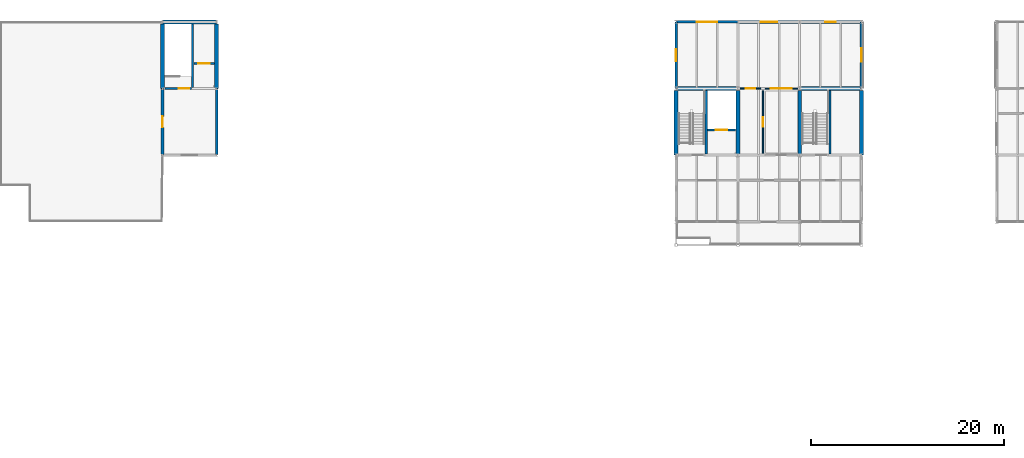
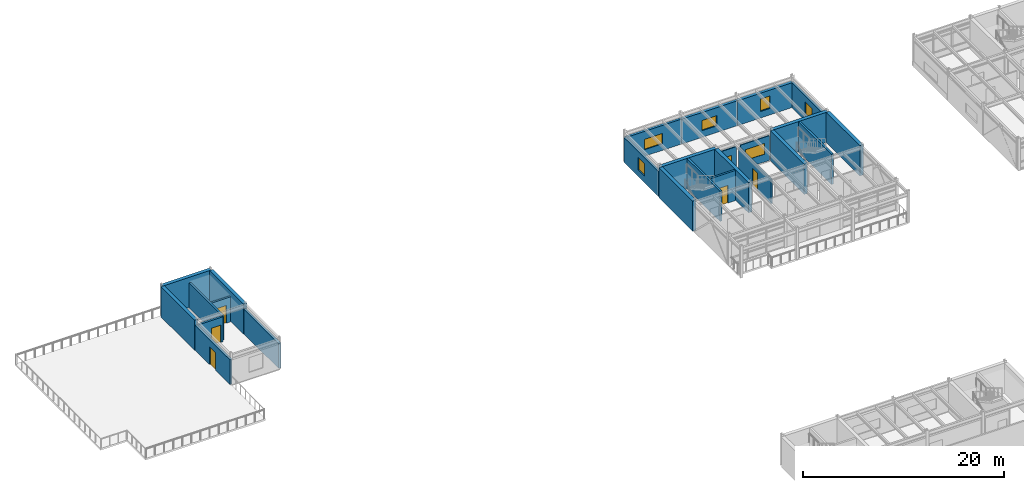
# One storey, part 40 of 49: 25 walls, 6 doors, 6 windows, 12 openings.
"""IFC4 building model written with IfcOpenShell, lengths in metres."""

from ifc_helpers import new_model, si_unit, direction, frame, frame_2d, origin, place, context, subcontext, project, spatial, rectangle, extrude, material, layer, layer_set, type_object, element, fill, save


model = new_model("IFC4")

# Units and contexts
model_context = context("Model", 3, precision=1e-05, world=origin(), true_north=direction((0.0, 1.0)))
body_context = subcontext(model_context, "Body", "Model", "MODEL_VIEW")
ifc_project = project(units=[si_unit("LENGTHUNIT", "METRE"), si_unit("AREAUNIT", "SQUARE_METRE"), si_unit("VOLUMEUNIT", "CUBIC_METRE"), si_unit("PLANEANGLEUNIT", "RADIAN"), si_unit("MASSUNIT", "GRAM", prefix="KILO")], contexts=[model_context])

# Site, building, storey
site_placement = place(None, origin())
site = spatial("IfcSite", under=ifc_project, at=site_placement, CompositionType="ELEMENT")
building_placement = place(site_placement, origin())
building = spatial("IfcBuilding", under=site, at=building_placement, Name="Trelmorton Wharf Fire Station", CompositionType="ELEMENT")
storey_placement = place(building_placement, frame((0.0, 0.0, 9.60009765625)))
storey = spatial("IfcBuildingStorey", under=building, at=storey_placement, Name="L02", CompositionType="ELEMENT", Elevation=9.60009765625)

# Wall, opening, door
ifc_material_1 = material(Name="Precast concrete 45 MPa", Category="concrete")
ifc_layer_1 = layer(ifc_material_1, 0.27001953125)
ifc_layer_set_1 = layer_set([ifc_layer_1], Name="Precast concrete 45 MPa")
wall_type_1 = type_object("IfcWallType", Name="EW_PREC_270", PredefinedType="SOLIDWALL", material=ifc_layer_set_1)
wall_1_placement = place(storey_placement, frame((17.60009765625, 67.205078125, 0.0), z_axis=(0.0, 0.0, 1.0), x_axis=(0.0, 1.0, 0.0)))
wall_1 = element("IfcWall", 1, at=wall_1_placement, inside=storey, type_object=wall_type_1, Name="EW-V6-L02-0152", PredefinedType="SOLIDWALL", context=body_context, shape_type="SweptSolid", body=[
    extrude(rectangle(XDim=6.889892578125, YDim=0.27001953125, at=frame_2d((3.44482421875, 0.0))), origin(), (0.0, 0.0, 1.0), 3.02001953125),
])
opening_1_placement = place(wall_1_placement, frame((2.875, 0.0, 0.0)))
opening_1 = element("IfcOpeningElement", 2, at=opening_1_placement, cuts=wall_1, Name="Opening TD-024", PredefinedType="OPENING", context=body_context, shape_type="SweptSolid", body=[
    extrude(rectangle(XDim=1.139892578125, YDim=2.139892578125, at=frame_2d((0.56982421875, 1.06982421875))), frame((0.0, 0.14501953125, 0.0), z_axis=(0.0, -1.0, 0.0), x_axis=(1.0, 0.0, 0.0)), (0.0, 0.0, 1.0), 0.2900390625),
])
ifc_material_2 = material(Name="Anodised aluminium AW-6063", Category="aluminium")
door_type_1 = type_object("IfcDoorType", Name="DR_TER_SGL_114", OperationType="NOTDEFINED", PredefinedType="DOOR", material=ifc_material_2)
door_1_placement = place(opening_1_placement, origin())
door_1 = element("IfcDoor", 3, at=door_1_placement, inside=storey, type_object=door_type_1, Name="Terrace Door TD-024", OperationType="SINGLE_SWING_RIGHT", OverallHeight=2.139892578125, OverallWidth=1.139892578125, PredefinedType="DOOR", context=body_context, shape_type="SweptSolid", body=[
    extrude(rectangle(XDim=1.139892578125, YDim=2.139892578125, at=frame_2d((0.56982421875, 1.06982421875))), frame((0.0, 0.02490234375, 0.0), z_axis=(0.0, -1.0, 0.0), x_axis=(1.0, 0.0, 0.0)), (0.0, 0.0, 1.0), 0.050048828125),
])
fill(opening_1, door_1)

# Wall
wall_2_placement = place(storey_placement, frame((23.199951171875, 74.094970703125, 0.0), z_axis=(0.0, 0.0, 1.0), x_axis=(0.0, -1.0, 0.0)))
element("IfcWall", 4, at=wall_2_placement, inside=storey, type_object=wall_type_1, Name="EW-V6-L02-0153", PredefinedType="SOLIDWALL", context=body_context, shape_type="SweptSolid", body=[
    extrude(rectangle(XDim=6.889892578125, YDim=0.27001953125, at=frame_2d((3.44482421875, 0.0))), origin(), (0.0, 0.0, 1.0), 3.02001953125),
])

# Wall, opening, window
wall_3_placement = place(storey_placement, frame((70.804931640625, 81.0, 0.0), z_axis=(0.0, 0.0, 1.0), x_axis=(1.0, 0.0, 0.0)))
wall_3 = element("IfcWall", 5, at=wall_3_placement, inside=storey, type_object=wall_type_1, Name="EW-V2-L02-0170", PredefinedType="SOLIDWALL", context=body_context, shape_type="SweptSolid", body=[
    extrude(rectangle(XDim=6.39013671875, YDim=0.27001953125, at=frame_2d((3.195068359375, 0.0))), origin(), (0.0, 0.0, 1.0), 3.02001953125),
])
opening_2_placement = place(wall_3_placement, frame((2.14501953125, 0.0, 0.800048828125)))
opening_2 = element("IfcOpeningElement", 6, at=opening_2_placement, cuts=wall_3, Name="Opening W31", PredefinedType="OPENING", context=body_context, shape_type="SweptSolid", body=[
    extrude(rectangle(XDim=2.10009765625, YDim=1.25, at=frame_2d((1.050048828125, 0.625))), frame((0.0, 0.14501953125, 0.0), z_axis=(0.0, -1.0, 0.0), x_axis=(1.0, 0.0, 0.0)), (0.0, 0.0, 1.0), 0.2900390625),
])
ifc_material_3 = material(Name="Tempered low-E double glazing", Category="glass")
window_type_1 = type_object("IfcWindowType", Name="WIN_W31", PartitioningType="DOUBLE_PANEL_VERTICAL", PredefinedType="WINDOW", material=ifc_material_3)
window_1_placement = place(opening_2_placement, origin())
window_1 = element("IfcWindow", 7, at=window_1_placement, inside=storey, type_object=window_type_1, Name="WN-V2-L02-0093", OverallHeight=1.25, OverallWidth=2.10009765625, PartitioningType="DOUBLE_PANEL_VERTICAL", PredefinedType="WINDOW", context=body_context, shape_type="SweptSolid", body=[
    extrude(rectangle(XDim=2.10009765625, YDim=1.25, at=frame_2d((1.050048828125, 0.625))), frame((0.0, 0.030029296875, 0.0), z_axis=(0.0, -1.0, 0.0), x_axis=(1.0, 0.0, 0.0)), (0.0, 0.0, 1.0), 0.06005859375),
])
fill(opening_2, window_1)

wall_4_placement = place(storey_placement, frame((70.800048828125, 74.10498046875, 0.0), z_axis=(0.0, 0.0, 1.0), x_axis=(0.0, 1.0, 0.0)))
wall_4 = element("IfcWall", 8, at=wall_4_placement, inside=storey, type_object=wall_type_1, Name="EW-V2-L02-0176", PredefinedType="SOLIDWALL", context=body_context, shape_type="SweptSolid", body=[
    extrude(rectangle(XDim=6.89013671875, YDim=0.27001953125, at=frame_2d((3.445068359375, 0.0))), origin(), (0.0, 0.0, 1.0), 3.02001953125),
])
opening_3_placement = place(wall_4_placement, frame((2.820068359375, 0.0, 0.800048828125)))
opening_3 = element("IfcOpeningElement", 9, at=opening_3_placement, cuts=wall_4, Name="Opening W34", PredefinedType="OPENING", context=body_context, shape_type="SweptSolid", body=[
    extrude(rectangle(XDim=1.25, YDim=1.5, at=frame_2d((0.625, 0.75))), frame((0.0, 0.14501953125, 0.0), z_axis=(0.0, -1.0, 0.0), x_axis=(1.0, 0.0, 0.0)), (0.0, 0.0, 1.0), 0.2900390625),
])
window_type_2 = type_object("IfcWindowType", Name="WIN_W34", PartitioningType="SINGLE_PANEL", PredefinedType="WINDOW", material=ifc_material_3)
window_2_placement = place(opening_3_placement, origin())
window_2 = element("IfcWindow", 10, at=window_2_placement, inside=storey, type_object=window_type_2, Name="WN-V2-L02-0096", OverallHeight=1.5, OverallWidth=1.25, PartitioningType="SINGLE_PANEL", PredefinedType="WINDOW", context=body_context, shape_type="SweptSolid", body=[
    extrude(rectangle(XDim=1.25, YDim=1.5, at=frame_2d((0.625, 0.75))), frame((0.0, 0.030029296875, 0.0), z_axis=(0.0, -1.0, 0.0), x_axis=(1.0, 0.0, 0.0)), (0.0, 0.0, 1.0), 0.06005859375),
])
fill(opening_3, window_2)

ifc_layer_2 = layer(ifc_material_1, 0.2900390625)
ifc_layer_set_2 = layer_set([ifc_layer_2], Name="Precast concrete 45 MPa")
wall_type_2 = type_object("IfcWallType", Name="EW_TERR_290", PredefinedType="SOLIDWALL", material=ifc_layer_set_2)
wall_5_placement = place(storey_placement, frame((90.0, 80.9951171875, 0.0), z_axis=(0.0, 0.0, 1.0), x_axis=(0.0, -1.0, 0.0)))
wall_5 = element("IfcWall", 11, at=wall_5_placement, inside=storey, type_object=wall_type_2, Name="EW-V2-L02-0177", PredefinedType="SOLIDWALL", context=body_context, shape_type="SweptSolid", body=[
    extrude(rectangle(XDim=6.89013671875, YDim=0.2900390625, at=frame_2d((3.445068359375, 0.0))), origin(), (0.0, 0.0, 1.0), 3.02001953125),
])
opening_4_placement = place(wall_5_placement, frame((2.7451171875, 0.0, 0.800048828125)))
opening_4 = element("IfcOpeningElement", 12, at=opening_4_placement, cuts=wall_5, Name="Opening W35", PredefinedType="OPENING", context=body_context, shape_type="SweptSolid", body=[
    extrude(rectangle(XDim=1.39990234375, YDim=1.5, at=frame_2d((0.699951171875, 0.75))), frame((0.0, 0.155029296875, 0.0), z_axis=(0.0, -1.0, 0.0), x_axis=(1.0, 0.0, 0.0)), (0.0, 0.0, 1.0), 0.31005859375),
])
window_type_3 = type_object("IfcWindowType", Name="WIN_W35", PartitioningType="SINGLE_PANEL", PredefinedType="WINDOW", material=ifc_material_3)
window_3_placement = place(opening_4_placement, origin())
window_3 = element("IfcWindow", 13, at=window_3_placement, inside=storey, type_object=window_type_3, Name="WN-V2-L02-0097", OverallHeight=1.5, OverallWidth=1.39990234375, PartitioningType="SINGLE_PANEL", PredefinedType="WINDOW", context=body_context, shape_type="SweptSolid", body=[
    extrude(rectangle(XDim=1.39990234375, YDim=1.5, at=frame_2d((0.699951171875, 0.75))), frame((0.0, 0.030029296875, 0.0), z_axis=(0.0, -1.0, 0.0), x_axis=(1.0, 0.0, 0.0)), (0.0, 0.0, 1.0), 0.06005859375),
])
fill(opening_4, window_3)

ifc_layer_3 = layer(ifc_material_1, 0.31005859375)
ifc_layer_set_3 = layer_set([ifc_layer_3], Name="Precast concrete 45 MPa")
wall_type_3 = type_object("IfcWallType", Name="EW_TERR_310", PredefinedType="SOLIDWALL", material=ifc_layer_set_3)
wall_6_placement = place(storey_placement, frame((77.205078125, 81.0, 0.0), z_axis=(0.0, 0.0, 1.0), x_axis=(1.0, 0.0, 0.0)))
wall_6 = element("IfcWall", 14, at=wall_6_placement, inside=storey, type_object=wall_type_3, Name="EW-V2-L02-0172", PredefinedType="SOLIDWALL", context=body_context, shape_type="SweptSolid", body=[
    extrude(rectangle(XDim=6.389892578125, YDim=0.31005859375, at=frame_2d((3.19482421875, 0.0))), origin(), (0.0, 0.0, 1.0), 3.02001953125),
])
opening_5_placement = place(wall_6_placement, frame((2.344970703125, 0.0, 0.800048828125)))
opening_5 = element("IfcOpeningElement", 15, at=opening_5_placement, cuts=wall_6, Name="Opening W32", PredefinedType="OPENING", context=body_context, shape_type="SweptSolid", body=[
    extrude(rectangle(XDim=1.699951171875, YDim=1.25, at=frame_2d((0.85009765625, 0.625))), frame((0.0, 0.1650390625, 0.0), z_axis=(0.0, -1.0, 0.0), x_axis=(1.0, 0.0, 0.0)), (0.0, 0.0, 1.0), 0.330078125),
])
window_type_4 = type_object("IfcWindowType", Name="WIN_W32", PartitioningType="DOUBLE_PANEL_VERTICAL", PredefinedType="WINDOW", material=ifc_material_3)
window_4_placement = place(opening_5_placement, origin())
window_4 = element("IfcWindow", 16, at=window_4_placement, inside=storey, type_object=window_type_4, Name="WN-V2-L02-0094", OverallHeight=1.25, OverallWidth=1.699951171875, PartitioningType="DOUBLE_PANEL_VERTICAL", PredefinedType="WINDOW", context=body_context, shape_type="SweptSolid", body=[
    extrude(rectangle(XDim=1.699951171875, YDim=1.25, at=frame_2d((0.85009765625, 0.625))), frame((0.0, 0.030029296875, 0.0), z_axis=(0.0, -1.0, 0.0), x_axis=(1.0, 0.0, 0.0)), (0.0, 0.0, 1.0), 0.06005859375),
])
fill(opening_5, window_4)

ifc_layer_4 = layer(ifc_material_1, 0.330078125)
ifc_layer_set_4 = layer_set([ifc_layer_4], Name="Precast concrete 45 MPa")
wall_type_4 = type_object("IfcWallType", Name="EW_TERR_330", PredefinedType="SOLIDWALL", material=ifc_layer_set_4)
wall_7_placement = place(storey_placement, frame((83.60498046875, 81.0, 0.0), z_axis=(0.0, 0.0, 1.0), x_axis=(1.0, 0.0, 0.0)))
wall_7 = element("IfcWall", 17, at=wall_7_placement, inside=storey, type_object=wall_type_4, Name="EW-V2-L02-0173", PredefinedType="SOLIDWALL", context=body_context, shape_type="SweptSolid", body=[
    extrude(rectangle(XDim=6.39013671875, YDim=0.330078125, at=frame_2d((3.195068359375, 0.0))), origin(), (0.0, 0.0, 1.0), 3.02001953125),
])
opening_6_placement = place(wall_7_placement, frame((2.64501953125, 0.0, 0.800048828125)))
opening_6 = element("IfcOpeningElement", 18, at=opening_6_placement, cuts=wall_7, Name="Opening W33", PredefinedType="OPENING", context=body_context, shape_type="SweptSolid", body=[
    extrude(rectangle(XDim=1.10009765625, YDim=1.5, at=frame_2d((0.550048828125, 0.75))), frame((0.0, 0.175048828125, 0.0), z_axis=(0.0, -1.0, 0.0), x_axis=(1.0, 0.0, 0.0)), (0.0, 0.0, 1.0), 0.35009765625),
])
window_type_5 = type_object("IfcWindowType", Name="WIN_W33", PartitioningType="SINGLE_PANEL", PredefinedType="WINDOW", material=ifc_material_3)
window_5_placement = place(opening_6_placement, origin())
window_5 = element("IfcWindow", 19, at=window_5_placement, inside=storey, type_object=window_type_5, Name="WN-V2-L02-0095", OverallHeight=1.5, OverallWidth=1.10009765625, PartitioningType="SINGLE_PANEL", PredefinedType="WINDOW", context=body_context, shape_type="SweptSolid", body=[
    extrude(rectangle(XDim=1.10009765625, YDim=1.5, at=frame_2d((0.550048828125, 0.75))), frame((0.0, 0.030029296875, 0.0), z_axis=(0.0, -1.0, 0.0), x_axis=(1.0, 0.0, 0.0)), (0.0, 0.0, 1.0), 0.06005859375),
])
fill(opening_6, window_5)

# Wall
ifc_material_4 = material(Name="Concrete 40 MPa", Category="concrete")
ifc_layer_5 = layer(ifc_material_4, 0.219970703125)
ifc_layer_set_5 = layer_set([ifc_layer_5], Name="Concrete 40 MPa")
wall_type_5 = type_object("IfcWallType", Name="IW_CORE_220", PredefinedType="SOLIDWALL", material=ifc_layer_set_5)
wall_8_placement = place(storey_placement, frame((20.719970703125, 74.219970703125, 0.0), z_axis=(0.0, 0.0, 1.0), x_axis=(0.0, 1.0, 0.0)))
element("IfcWall", 20, at=wall_8_placement, inside=storey, type_object=wall_type_5, Name="IW-C5-DIV-L02", PredefinedType="SOLIDWALL", context=body_context, shape_type="SweptSolid", body=[
    extrude(rectangle(XDim=6.554931640625, YDim=0.219970703125, at=frame_2d((3.27734375, 0.0))), origin(), (0.0, 0.0, 1.0), 3.02001953125),
])

# Wall, opening, door
wall_9_placement = place(storey_placement, frame((17.860107421875, 74.10009765625, 0.0), z_axis=(0.0, 0.0, 1.0), x_axis=(1.0, 0.0, 0.0)))
wall_9 = element("IfcWall", 21, at=wall_9_placement, inside=storey, type_object=wall_type_5, Name="IW-C5-SF-L02", PredefinedType="SOLIDWALL", context=body_context, shape_type="SweptSolid", body=[
    extrude(rectangle(XDim=2.739990234375, YDim=0.219970703125, at=frame_2d((1.3701171875, 0.0))), origin(), (0.0, 0.0, 1.0), 3.02001953125),
])
opening_7_placement = place(wall_9_placement, frame((1.43994140625, 0.0, 0.0)))
opening_7 = element("IfcOpeningElement", 22, at=opening_7_placement, cuts=wall_9, Name="Opening FD-025", PredefinedType="OPENING", context=body_context, shape_type="SweptSolid", body=[
    extrude(rectangle(XDim=1.06005859375, YDim=2.10009765625, at=frame_2d((0.530029296875, 1.050048828125))), frame((0.0, 0.1201171875, 0.0), z_axis=(0.0, -1.0, 0.0), x_axis=(1.0, 0.0, 0.0)), (0.0, 0.0, 1.0), 0.239990234375),
])
ifc_material_5 = material(Name="Stainless steel 316 marine grade", Category="steel")
door_type_2 = type_object("IfcDoorType", Name="DR_FIRE_106", OperationType="NOTDEFINED", PredefinedType="DOOR", material=ifc_material_5)
door_2_placement = place(opening_7_placement, origin())
door_2 = element("IfcDoor", 23, at=door_2_placement, inside=storey, type_object=door_type_2, Name="Stair Fire Door FD-025", OperationType="SINGLE_SWING_RIGHT", OverallHeight=2.10009765625, OverallWidth=1.06005859375, PredefinedType="DOOR", context=body_context, shape_type="SweptSolid", body=[
    extrude(rectangle(XDim=1.06005859375, YDim=2.10009765625, at=frame_2d((0.530029296875, 1.050048828125))), frame((0.0, 0.02490234375, 0.0), z_axis=(0.0, -1.0, 0.0), x_axis=(1.0, 0.0, 0.0)), (0.0, 0.0, 1.0), 0.050048828125),
])
fill(opening_7, door_2)

wall_10_placement = place(storey_placement, frame((20.840087890625, 76.699951171875, 0.0), z_axis=(0.0, 0.0, 1.0), x_axis=(1.0, 0.0, 0.0)))
wall_10 = element("IfcWall", 24, at=wall_10_placement, inside=storey, type_object=wall_type_5, Name="IW-C5-LSH-L02", PredefinedType="SOLIDWALL", context=body_context, shape_type="SweptSolid", body=[
    extrude(rectangle(XDim=2.135009765625, YDim=0.219970703125, at=frame_2d((1.0673828125, 0.0))), origin(), (0.0, 0.0, 1.0), 3.02001953125),
])
opening_8_placement = place(wall_10_placement, frame((0.467529296875, 0.0, 0.0)))
opening_8 = element("IfcOpeningElement", 25, at=opening_8_placement, cuts=wall_10, Name="Opening LD-025", PredefinedType="OPENING", context=body_context, shape_type="SweptSolid", body=[
    extrude(rectangle(XDim=1.199951171875, YDim=2.14990234375, at=frame_2d((0.60009765625, 1.074951171875))), frame((0.0, 0.1201171875, 0.0), z_axis=(0.0, -1.0, 0.0), x_axis=(1.0, 0.0, 0.0)), (0.0, 0.0, 1.0), 0.239990234375),
])
door_type_3 = type_object("IfcDoorType", Name="DR_LIFT_120", OperationType="DOUBLE_DOOR_SLIDING", PredefinedType="DOOR", material=ifc_material_5)
door_3_placement = place(opening_8_placement, origin())
door_3 = element("IfcDoor", 26, at=door_3_placement, inside=storey, type_object=door_type_3, Name="Lift Landing Door LD-025", OperationType="DOUBLE_DOOR_SLIDING", OverallHeight=2.14990234375, OverallWidth=1.199951171875, PredefinedType="DOOR", context=body_context, shape_type="SweptSolid", body=[
    extrude(rectangle(XDim=1.199951171875, YDim=2.14990234375, at=frame_2d((0.60009765625, 1.074951171875))), frame((0.0, 0.02490234375, 0.0), z_axis=(0.0, -1.0, 0.0), x_axis=(1.0, 0.0, 0.0)), (0.0, 0.0, 1.0), 0.050048828125),
])
fill(opening_8, door_3)

# Wall
wall_11_placement = place(storey_placement, frame((73.919921875, 67.320068359375, 0.0), z_axis=(0.0, 0.0, 1.0), x_axis=(0.0, 1.0, 0.0)))
element("IfcWall", 27, at=wall_11_placement, inside=storey, type_object=wall_type_5, Name="IW-C6-DIV-L02", PredefinedType="SOLIDWALL", context=body_context, shape_type="SweptSolid", body=[
    extrude(rectangle(XDim=6.554931640625, YDim=0.219970703125, at=frame_2d((3.27734375, 0.0))), origin(), (0.0, 0.0, 1.0), 3.659912109375),
])

# Wall, opening, door
wall_12_placement = place(storey_placement, frame((74.0400390625, 69.800048828125, 0.0), z_axis=(0.0, 0.0, 1.0), x_axis=(1.0, 0.0, 0.0)))
wall_12 = element("IfcWall", 28, at=wall_12_placement, inside=storey, type_object=wall_type_5, Name="IW-C6-LSH-L02", PredefinedType="SOLIDWALL", context=body_context, shape_type="SweptSolid", body=[
    extrude(rectangle(XDim=2.93505859375, YDim=0.219970703125, at=frame_2d((1.467529296875, 0.0))), origin(), (0.0, 0.0, 1.0), 3.659912109375),
])
opening_9_placement = place(wall_12_placement, frame((0.867431640625, 0.0, 0.0)))
opening_9 = element("IfcOpeningElement", 29, at=opening_9_placement, cuts=wall_12, Name="Opening LD-028", PredefinedType="OPENING", context=body_context, shape_type="SweptSolid", body=[
    extrude(rectangle(XDim=1.199951171875, YDim=2.14990234375, at=frame_2d((0.60009765625, 1.074951171875))), frame((0.0, 0.1201171875, 0.0), z_axis=(0.0, -1.0, 0.0), x_axis=(1.0, 0.0, 0.0)), (0.0, 0.0, 1.0), 0.239990234375),
])
door_4_placement = place(opening_9_placement, origin())
door_4 = element("IfcDoor", 30, at=door_4_placement, inside=storey, type_object=door_type_3, Name="Lift Landing Door LD-028", OperationType="DOUBLE_DOOR_SLIDING", OverallHeight=2.14990234375, OverallWidth=1.199951171875, PredefinedType="DOOR", context=body_context, shape_type="SweptSolid", body=[
    extrude(rectangle(XDim=1.199951171875, YDim=2.14990234375, at=frame_2d((0.60009765625, 1.074951171875))), frame((0.0, 0.02490234375, 0.0), z_axis=(0.0, -1.0, 0.0), x_axis=(1.0, 0.0, 0.0)), (0.0, 0.0, 1.0), 0.050048828125),
])
fill(opening_9, door_4)

# Wall
wall_13_placement = place(storey_placement, frame((86.719970703125, 67.320068359375, 0.0), z_axis=(0.0, 0.0, 1.0), x_axis=(0.0, 1.0, 0.0)))
element("IfcWall", 31, at=wall_13_placement, inside=storey, type_object=wall_type_5, Name="IW-C6B-DIV-L02", PredefinedType="SOLIDWALL", context=body_context, shape_type="SweptSolid", body=[
    extrude(rectangle(XDim=6.554931640625, YDim=0.219970703125, at=frame_2d((3.27734375, 0.0))), origin(), (0.0, 0.0, 1.0), 3.659912109375),
])

# Wall, opening, window
ifc_material_6 = material(Name="Gypsum plasterboard partition")
ifc_layer_6 = layer(ifc_material_6, 0.110107421875)
ifc_layer_set_6 = layer_set([ifc_layer_6], Name="Gypsum plasterboard partition")
wall_type_6 = type_object("IfcWallType", Name="IW_PART_110", PredefinedType="PARTITIONING", material=ifc_layer_set_6)
wall_14_placement = place(storey_placement, frame((80.02001953125, 74.10009765625, 0.0), z_axis=(0.0, 0.0, 1.0), x_axis=(1.0, 0.0, 0.0)))
wall_14 = element("IfcWall", 32, at=wall_14_placement, inside=storey, type_object=wall_type_6, Name="IW-L02-0153", PredefinedType="PARTITIONING", context=body_context, shape_type="SweptSolid", body=[
    extrude(rectangle(XDim=3.35986328125, YDim=0.110107421875, at=frame_2d((1.679931640625, 0.0))), origin(), (0.0, 0.0, 1.0), 3.0),
])
opening_10_placement = place(wall_14_placement, frame((0.580078125, 0.0, 0.949951171875)))
opening_10 = element("IfcOpeningElement", 33, at=opening_10_placement, cuts=wall_14, Name="Opening IW-OB1", PredefinedType="OPENING", context=body_context, shape_type="SweptSolid", body=[
    extrude(rectangle(XDim=2.199951171875, YDim=1.300048828125, at=frame_2d((1.10009765625, 0.64990234375))), frame((0.0, 0.06494140625, 0.0), z_axis=(0.0, -1.0, 0.0), x_axis=(1.0, 0.0, 0.0)), (0.0, 0.0, 1.0), 0.130126953125),
])
window_type_6 = type_object("IfcWindowType", Name="WIN_INT_220", PartitioningType="DOUBLE_PANEL_VERTICAL", PredefinedType="WINDOW", material=ifc_material_3)
window_6_placement = place(opening_10_placement, origin())
window_6 = element("IfcWindow", 34, at=window_6_placement, inside=storey, type_object=window_type_6, Name="WN-INT-0153", OverallHeight=1.300048828125, OverallWidth=2.199951171875, PartitioningType="DOUBLE_PANEL_VERTICAL", PredefinedType="WINDOW", context=body_context, shape_type="SweptSolid", body=[
    extrude(rectangle(XDim=2.199951171875, YDim=1.300048828125, at=frame_2d((1.10009765625, 0.64990234375))), frame((0.0, 0.030029296875, 0.0), z_axis=(0.0, -1.0, 0.0), x_axis=(1.0, 0.0, 0.0)), (0.0, 0.0, 1.0), 0.06005859375),
])
fill(opening_10, window_6)

# Wall, opening, door
ifc_layer_7 = layer(ifc_material_6, 0.1298828125)
ifc_layer_set_7 = layer_set([ifc_layer_7], Name="Gypsum plasterboard partition")
wall_type_7 = type_object("IfcWallType", Name="IW_PART_130", PredefinedType="PARTITIONING", material=ifc_layer_set_7)
wall_15_placement = place(storey_placement, frame((79.800048828125, 67.419921875, 0.0), z_axis=(0.0, 0.0, 1.0), x_axis=(0.0, 1.0, 0.0)))
wall_15 = element("IfcWall", 35, at=wall_15_placement, inside=storey, type_object=wall_type_7, Name="IW-L02-0151", PredefinedType="PARTITIONING", context=body_context, shape_type="SweptSolid", body=[
    extrude(rectangle(XDim=6.4599609375, YDim=0.1298828125, at=frame_2d((3.22998046875, 0.0))), origin(), (0.0, 0.0, 1.0), 3.0),
])
opening_11_placement = place(wall_15_placement, frame((2.7451171875, 0.0, 0.0)))
opening_11 = element("IfcOpeningElement", 36, at=opening_11_placement, cuts=wall_15, Name="Opening D-104", PredefinedType="OPENING", context=body_context, shape_type="SweptSolid", body=[
    extrude(rectangle(XDim=0.969970703125, YDim=2.10009765625, at=frame_2d((0.48486328125, 1.050048828125))), frame((0.0, 0.074951171875, 0.0), z_axis=(0.0, -1.0, 0.0), x_axis=(1.0, 0.0, 0.0)), (0.0, 0.0, 1.0), 0.14990234375),
])
ifc_material_7 = material(Name="Acoustic timber panelling", Category="wood")
door_type_4 = type_object("IfcDoorType", Name="DR_INT_097", OperationType="NOTDEFINED", PredefinedType="DOOR", material=ifc_material_7)
door_5_placement = place(opening_11_placement, origin())
door_5 = element("IfcDoor", 37, at=door_5_placement, inside=storey, type_object=door_type_4, Name="Interior Door D-104", OperationType="SINGLE_SWING_RIGHT", OverallHeight=2.10009765625, OverallWidth=0.969970703125, PredefinedType="DOOR", context=body_context, shape_type="SweptSolid", body=[
    extrude(rectangle(XDim=0.969970703125, YDim=2.10009765625, at=frame_2d((0.48486328125, 1.050048828125))), frame((0.0, 0.02490234375, 0.0), z_axis=(0.0, -1.0, 0.0), x_axis=(1.0, 0.0, 0.0)), (0.0, 0.0, 1.0), 0.050048828125),
])
fill(opening_11, door_5)

ifc_layer_8 = layer(ifc_material_6, 0.1201171875)
ifc_layer_set_8 = layer_set([ifc_layer_8], Name="Gypsum plasterboard partition")
wall_type_8 = type_object("IfcWallType", Name="IW_WET_120", PredefinedType="PARTITIONING", material=ifc_layer_set_8)
wall_16_placement = place(storey_placement, frame((77.419921875, 74.10009765625, 0.0), z_axis=(0.0, 0.0, 1.0), x_axis=(1.0, 0.0, 0.0)))
wall_16 = element("IfcWall", 38, at=wall_16_placement, inside=storey, type_object=wall_type_8, Name="IW-L02-0152", PredefinedType="PARTITIONING", context=body_context, shape_type="SweptSolid", body=[
    extrude(rectangle(XDim=2.16015625, YDim=0.1201171875, at=frame_2d((1.080078125, 0.0))), origin(), (0.0, 0.0, 1.0), 3.0),
])
opening_12_placement = place(wall_16_placement, frame((0.580078125, 0.0, 0.0)))
opening_12 = element("IfcOpeningElement", 39, at=opening_12_placement, cuts=wall_16, Name="Opening D-105", PredefinedType="OPENING", context=body_context, shape_type="SweptSolid", body=[
    extrude(rectangle(XDim=1.0, YDim=2.1201171875, at=frame_2d((0.5, 1.06005859375))), frame((0.0, 0.070068359375, 0.0), z_axis=(0.0, -1.0, 0.0), x_axis=(1.0, 0.0, 0.0)), (0.0, 0.0, 1.0), 0.14013671875),
])
door_type_5 = type_object("IfcDoorType", Name="DR_INT_100", OperationType="NOTDEFINED", PredefinedType="DOOR", material=ifc_material_7)
door_6_placement = place(opening_12_placement, origin())
door_6 = element("IfcDoor", 40, at=door_6_placement, inside=storey, type_object=door_type_5, Name="Interior Door D-105", OperationType="SINGLE_SWING_LEFT", OverallHeight=2.1201171875, OverallWidth=1.0, PredefinedType="DOOR", context=body_context, shape_type="SweptSolid", body=[
    extrude(rectangle(XDim=1.0, YDim=2.1201171875, at=frame_2d((0.5, 1.06005859375))), frame((0.0, 0.02490234375, 0.0), z_axis=(0.0, -1.0, 0.0), x_axis=(1.0, 0.0, 0.0)), (0.0, 0.0, 1.0), 0.050048828125),
])
fill(opening_12, door_6)

# Walls
ifc_material_8 = material(Name="Concrete 50 MPa", Category="concrete")
ifc_layer_9 = layer(ifc_material_8, 0.39990234375)
ifc_layer_set_9 = layer_set([ifc_layer_9], Name="Concrete 50 MPa")
wall_type_9 = type_object("IfcWallType", Name="WL_CORE_400", PredefinedType="SHEAR", material=ifc_layer_set_9)
wall_17_placement = place(storey_placement, frame((17.60009765625, 81.0, 0.0), z_axis=(0.0, 0.0, 1.0), x_axis=(1.0, 0.0, 0.0)))
element("IfcWall", 41, at=wall_17_placement, inside=storey, type_object=wall_type_9, Name="WL-SW-C5-L02-073", PredefinedType="SHEAR", context=body_context, shape_type="SweptSolid", body=[
    extrude(rectangle(XDim=5.599853515625, YDim=0.39990234375, at=frame_2d((2.7998046875, 0.0))), origin(), (0.0, 0.0, 1.0), 3.659912109375),
])
for number, where, z_axis, x_axis, name in (
    (42, (17.60009765625, 74.10009765625, 0.0), (0.0, 0.0, 1.0), (0.0, 1.0, 0.0), "WL-SW-C5-L02-074"),
    (43, (23.199951171875, 74.10009765625, 0.0), (0.0, 0.0, 1.0), (0.0, 1.0, 0.0), "WL-SW-C5-L02-075"),
):
    element("IfcWall", number, at=place(storey_placement, frame(where, z_axis=z_axis, x_axis=x_axis)), inside=storey, type_object=wall_type_9, Name=name, PredefinedType="SHEAR", context=body_context, shape_type="SweptSolid", body=[
        extrude(rectangle(XDim=6.699951171875, YDim=0.39990234375, at=frame_2d((3.35009765625, 0.0))), origin(), (0.0, 0.0, 1.0), 3.659912109375),
    ])
wall_18_placement = place(storey_placement, frame((70.800048828125, 74.10009765625, 0.0), z_axis=(0.0, 0.0, 1.0), x_axis=(1.0, 0.0, 0.0)))
element("IfcWall", 44, at=wall_18_placement, inside=storey, type_object=wall_type_9, Name="WL-SW-C6-L02-088", PredefinedType="SHEAR", context=body_context, shape_type="SweptSolid", body=[
    extrude(rectangle(XDim=6.39990234375, YDim=0.39990234375, at=frame_2d((3.199951171875, 0.0))), origin(), (0.0, 0.0, 1.0), 3.659912109375),
])
for number, where, z_axis, x_axis, name in (
    (45, (70.800048828125, 67.199951171875, 0.0), (0.0, 0.0, 1.0), (0.0, 1.0, 0.0), "WL-SW-C6-L02-089"),
    (46, (77.199951171875, 67.199951171875, 0.0), (0.0, 0.0, 1.0), (0.0, 1.0, 0.0), "WL-SW-C6-L02-090"),
):
    element("IfcWall", number, at=place(storey_placement, frame(where, z_axis=z_axis, x_axis=x_axis)), inside=storey, type_object=wall_type_9, Name=name, PredefinedType="SHEAR", context=body_context, shape_type="SweptSolid", body=[
        extrude(rectangle(XDim=6.699951171875, YDim=0.39990234375, at=frame_2d((3.35009765625, 0.0))), origin(), (0.0, 0.0, 1.0), 3.659912109375),
    ])
wall_19_placement = place(storey_placement, frame((83.60009765625, 74.10009765625, 0.0), z_axis=(0.0, 0.0, 1.0), x_axis=(1.0, 0.0, 0.0)))
element("IfcWall", 47, at=wall_19_placement, inside=storey, type_object=wall_type_9, Name="WL-SW-C6B-L02-109", PredefinedType="SHEAR", context=body_context, shape_type="SweptSolid", body=[
    extrude(rectangle(XDim=6.39990234375, YDim=0.39990234375, at=frame_2d((3.199951171875, 0.0))), origin(), (0.0, 0.0, 1.0), 3.659912109375),
])
for number, where, z_axis, x_axis, name in (
    (48, (83.60009765625, 67.199951171875, 0.0), (0.0, 0.0, 1.0), (0.0, 1.0, 0.0), "WL-SW-C6B-L02-110"),
    (49, (90.0, 67.199951171875, 0.0), (0.0, 0.0, 1.0), (0.0, 1.0, 0.0), "WL-SW-C6B-L02-111"),
):
    element("IfcWall", number, at=place(storey_placement, frame(where, z_axis=z_axis, x_axis=x_axis)), inside=storey, type_object=wall_type_9, Name=name, PredefinedType="SHEAR", context=body_context, shape_type="SweptSolid", body=[
        extrude(rectangle(XDim=6.699951171875, YDim=0.39990234375, at=frame_2d((3.35009765625, 0.0))), origin(), (0.0, 0.0, 1.0), 3.659912109375),
    ])

save(model, "model.ifc")
